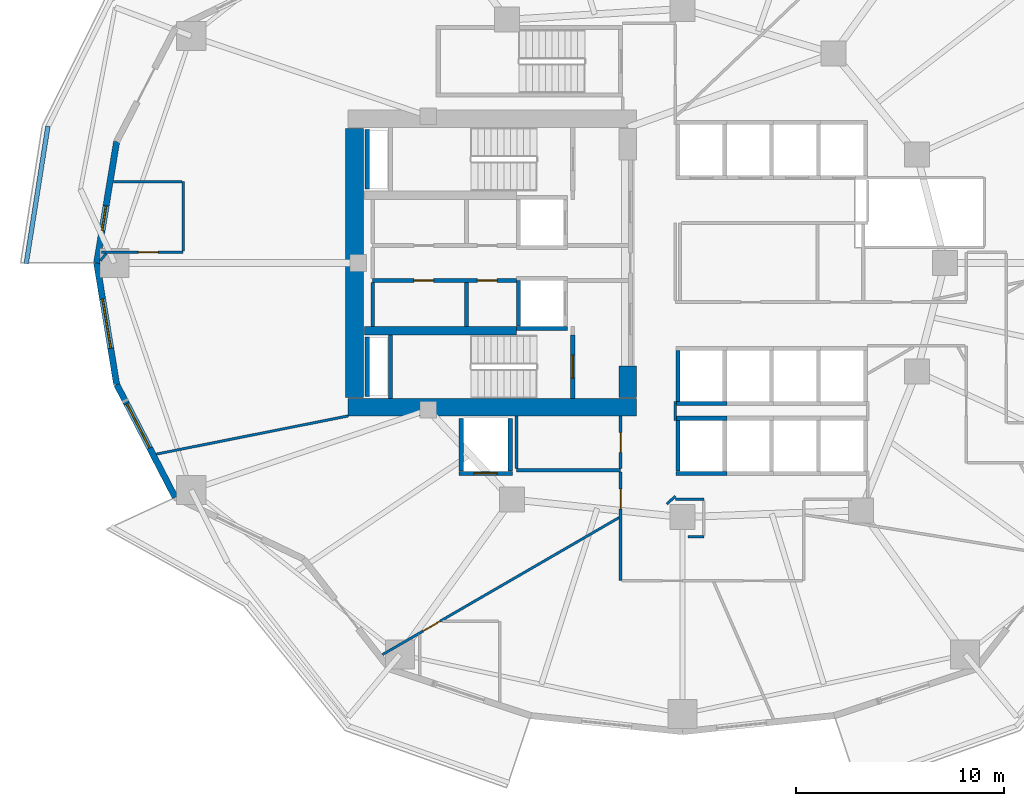
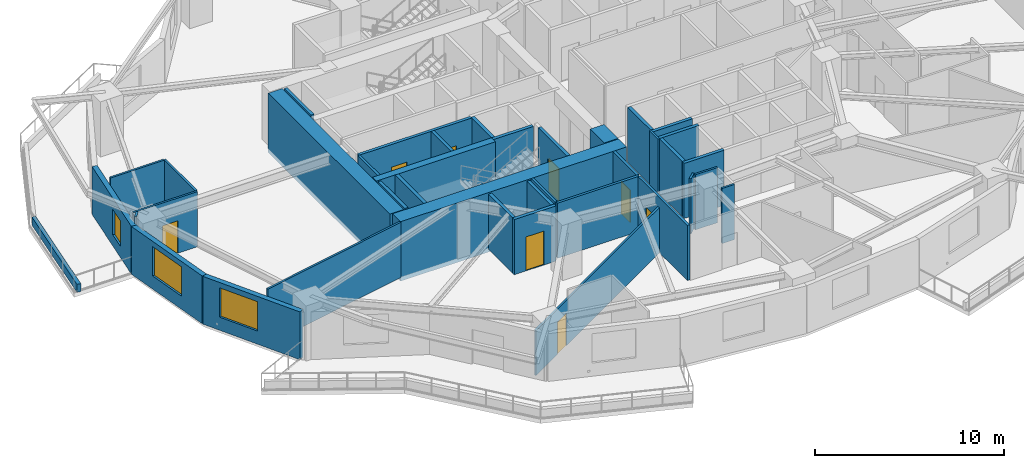
# One storey, part 3 of 13: 39 walls, 8 doors, 3 windows, 11 openings.
"""IFC4 building model written with IfcOpenShell, lengths in metres."""

import ifcopenshell
import ifcopenshell.guid

model = None  # the IFC model being written
_history = None  # IfcOwnerHistory: only IFC2X3 demands one
_inside = {}  # id of a spatial element -> (the spatial element, [elements in it])
_under = {}  # id of a project, library or spatial element -> (it, [spatial elements below it])
_declared = {}  # id of a project -> (the project, [libraries it declares])
_typed = {}  # id of a type object -> (the type object, [elements of that type])
_made_of = {}  # id of a material, layer set ... -> (it, [elements and type objects made of it])


def new_model(schema):
    """Start an empty IFC model of exactly this schema.

    Asked for "IFC4X3", IfcOpenShell would pick the latest addendum, in which some entities
    have other attributes; the version numbers below select the first issue.
    IFC2X3 requires an IfcOwnerHistory on every rooted entity: one is made here for all.
    """
    global model, _history
    if schema == "IFC4X3":
        model = ifcopenshell.file(schema_version=(4, 3, 0, 0))
    else:
        model = ifcopenshell.file(schema=schema)
    _inside.clear()
    _under.clear()
    _declared.clear()
    _typed.clear()
    _made_of.clear()
    _history = None
    if model.schema == "IFC2X3":
        org = make("IfcOrganization", Name="unknown")
        user = make(
            "IfcPersonAndOrganization",
            ThePerson=make("IfcPerson", FamilyName="unknown"),
            TheOrganization=org,
        )
        app = make(
            "IfcApplication",
            ApplicationDeveloper=org,
            Version="unknown",
            ApplicationFullName="unknown",
            ApplicationIdentifier="unknown",
        )
        _history = make(
            "IfcOwnerHistory",
            OwningUser=user,
            OwningApplication=app,
            ChangeAction="ADDED",
            CreationDate=0,
        )
    return model


def make(cls, **values):
    """One entity of the class cls with the attributes given. An attribute that is None is left unset."""
    return model.create_entity(
        cls, **{name: value for name, value in values.items() if value is not None}
    )


def rooted(cls, **values):
    """An entity with a GlobalId (a new one), such as an element, a storey or a relation."""
    return make(cls, GlobalId=ifcopenshell.guid.new(), OwnerHistory=_history, **values)


def si_unit(unit_type, name, prefix=None):
    """IfcSIUnit, for example si_unit("LENGTHUNIT", "METRE", prefix="MILLI")."""
    return make("IfcSIUnit", UnitType=unit_type, Prefix=prefix, Name=name)


def assignment(units):
    """IfcUnitAssignment: the units of a project."""
    return None if units is None else make("IfcUnitAssignment", Units=units)


def point(xyz):
    """IfcCartesianPoint."""
    return None if xyz is None else make("IfcCartesianPoint", Coordinates=xyz)


def direction(xyz):
    """IfcDirection."""
    return None if xyz is None else make("IfcDirection", DirectionRatios=xyz)


def frame(location, z_axis=None, x_axis=None):
    """IfcAxis2Placement3D, a coordinate frame: its origin and axes. An axis left out is left unset."""
    return make(
        "IfcAxis2Placement3D",
        Location=point(location),
        Axis=direction(z_axis),
        RefDirection=direction(x_axis),
    )


def frame_2d(location, x_axis=None):
    """IfcAxis2Placement2D, a coordinate frame in the plane: its origin and x axis."""
    return make(
        "IfcAxis2Placement2D", Location=point(location), RefDirection=direction(x_axis)
    )


def origin():
    """The frame at (0, 0, 0) with its axes left unset."""
    return frame((0.0, 0.0, 0.0))


def place(relative_to, where):
    """IfcLocalPlacement: puts the frame where relative to a parent placement (None: the world)."""
    return make(
        "IfcLocalPlacement", PlacementRelTo=relative_to, RelativePlacement=where
    )


def context(
    kind, dimensions, precision=None, world=None, true_north=None, identifier=None
):
    """IfcGeometricRepresentationContext, for example the 3D "Model" context."""
    return make(
        "IfcGeometricRepresentationContext",
        ContextIdentifier=identifier,
        ContextType=kind,
        CoordinateSpaceDimension=dimensions,
        Precision=precision,
        WorldCoordinateSystem=world,
        TrueNorth=true_north,
    )


def subcontext(parent, identifier, kind, view, scale=None):
    """IfcGeometricRepresentationSubContext, for example "Body" below "Model"."""
    return make(
        "IfcGeometricRepresentationSubContext",
        ContextIdentifier=identifier,
        ContextType=kind,
        ParentContext=parent,
        TargetScale=scale,
        TargetView=view,
    )


def project(units=None, contexts=None):
    """IfcProject with its units and contexts."""
    return rooted(
        "IfcProject",
        Name="project",
        RepresentationContexts=contexts,
        UnitsInContext=assignment(units),
    )


def spatial(cls, under=None, at=None, **own):
    """A site, building, storey or space (cls), placed at a placement, below another one or the project."""
    s = rooted(cls, ObjectPlacement=at, **own)
    if under is not None:
        _under.setdefault(under.id(), (under, []))[1].append(s)
    return s


def profile(cls, at=None, kind="AREA", **sizes):
    """A parametric profile (cls). Its sizes go by their IFC names, for example OverallWidth=200.0."""
    return make(cls, ProfileType=kind, Position=at, **sizes)


def rectangle(**sizes):
    """IfcRectangleProfileDef."""
    return profile("IfcRectangleProfileDef", **sizes)


def extrude(swept, where, along, depth):
    """IfcExtrudedAreaSolid: the profile swept, set in the frame where, extruded along a direction by depth."""
    return make(
        "IfcExtrudedAreaSolid",
        SweptArea=swept,
        Position=where,
        ExtrudedDirection=direction(along),
        Depth=depth,
    )


def shape(context_of_items, identifier, shape_type, items):
    """IfcShapeRepresentation: the items that make up one representation, for example the "Body"."""
    return make(
        "IfcShapeRepresentation",
        ContextOfItems=context_of_items,
        RepresentationIdentifier=identifier,
        RepresentationType=shape_type,
        Items=items,
    )


def material(Name=None, Category=None):
    """IfcMaterial."""
    return make("IfcMaterial", Name=Name, Category=Category)


def layer(
    of_material, thickness, ventilated=None, Name=None, Category=None, Priority=None
):
    """IfcMaterialLayer: one layer of a wall or slab, of a material (None: an air gap)."""
    return make(
        "IfcMaterialLayer",
        Material=of_material,
        LayerThickness=thickness,
        IsVentilated=ventilated,
        Name=Name,
        Category=Category,
        Priority=Priority,
    )


def layer_set(layers, Name=None):
    """IfcMaterialLayerSet."""
    return make("IfcMaterialLayerSet", MaterialLayers=layers, LayerSetName=Name)


def made_of(thing, what):
    """Note that an element or type object is made of a material, layer set ...; save() writes the relation."""
    if what is not None:
        _made_of.setdefault(what.id(), (what, []))[1].append(thing)
    return thing


def type_object(cls, material=None, **own):
    """A type object (cls), such as IfcWallType, which elements share."""
    return made_of(rooted(cls, **own), material)


def element(
    cls,
    number,
    at=None,
    inside=None,
    cuts=None,
    type_object=None,
    material=None,
    context=None,
    identifier="Body",
    shape_type=None,
    held_by="IfcProductDefinitionShape",
    body=None,
    shapes=None,
    **own,
):
    """One element of the class cls, such as IfcWall. Its Tag is "e" and its number.

    at: its placement. inside: the storey or other place that contains it. cuts: it is an
    opening in that element (IfcRelVoidsElement). A single representation is given by context,
    identifier, shape_type and body (its items); several are given by shapes. held_by: the class
    of the entity that holds the representations. save() writes the other relations.
    """
    e = rooted(cls, Tag="e%d" % number, ObjectPlacement=at, **own)
    if body is not None:
        shapes = [shape(context, identifier, shape_type, body)]
    if shapes is not None:
        e.Representation = make(held_by, Representations=shapes)
    if inside is not None:
        _inside.setdefault(inside.id(), (inside, []))[1].append(e)
    if cuts is not None:
        rooted(
            "IfcRelVoidsElement", RelatingBuildingElement=cuts, RelatedOpeningElement=e
        )
    if type_object is not None:
        _typed.setdefault(type_object.id(), (type_object, []))[1].append(e)
    return made_of(e, material)


def fill(opening, filler):
    """IfcRelFillsElement: the door or window that sits in an opening."""
    return rooted(
        "IfcRelFillsElement",
        RelatingOpeningElement=opening,
        RelatedBuildingElement=filler,
    )


def aggregate(whole, parts):
    """IfcRelAggregates: a whole, such as a stair, and the parts it consists of."""
    return rooted("IfcRelAggregates", RelatingObject=whole, RelatedObjects=parts)


def save(model, path):
    """Write the relations noted so far, then the file.

    IfcRelAggregates (storeys below a building ...), IfcRelContainedInSpatialStructure (elements
    in a storey), IfcRelDefinesByType, IfcRelAssociatesMaterial and IfcRelDeclares: one each for
    every whole, place, type object, material and project.
    """
    for whole, parts in _under.values():
        aggregate(whole, parts)
    for where, things in _inside.values():
        rooted(
            "IfcRelContainedInSpatialStructure",
            RelatedElements=things,
            RelatingStructure=where,
        )
    for kind, things in _typed.values():
        rooted("IfcRelDefinesByType", RelatedObjects=things, RelatingType=kind)
    for what, things in _made_of.values():
        rooted("IfcRelAssociatesMaterial", RelatedObjects=things, RelatingMaterial=what)
    for by, libraries in _declared.values():
        rooted("IfcRelDeclares", RelatingContext=by, RelatedDefinitions=libraries)
    model.write(path)


model = new_model("IFC4")

# Units and contexts
model_context = context("Model", 3, precision=1e-05, world=origin(), true_north=direction((0.0, 1.0)))
body_context = subcontext(model_context, "Body", "Model", "MODEL_VIEW")
ifc_project = project(units=[si_unit("LENGTHUNIT", "METRE"), si_unit("AREAUNIT", "SQUARE_METRE"), si_unit("VOLUMEUNIT", "CUBIC_METRE"), si_unit("PLANEANGLEUNIT", "RADIAN"), si_unit("MASSUNIT", "GRAM", prefix="KILO")], contexts=[model_context])

# Site, building, storey
site_placement = place(None, origin())
site = spatial("IfcSite", under=ifc_project, at=site_placement, CompositionType="ELEMENT")
building_placement = place(site_placement, origin())
building = spatial("IfcBuilding", under=site, at=building_placement, Name="Kolvaren Gate Tower and Convention Centre", CompositionType="ELEMENT")
storey_placement = place(building_placement, frame((0.0, 0.0, 26.5)))
storey = spatial("IfcBuildingStorey", under=building, at=storey_placement, Name="L05", CompositionType="ELEMENT", Elevation=26.5)

# Wall, openings, doors
ifc_material_1 = material(Name="Autoclaved Aerated Masonry Blockwork Class 4 (4.0 MPa)", Category="masonry")
ifc_layer_1 = layer(ifc_material_1, 0.179931640625)
ifc_layer_set_1 = layer_set([ifc_layer_1], Name="Autoclaved Aerated Masonry Blockwork Class 4 (4.0 MPa)")
wall_type_1 = type_object("IfcWallType", Name="ARCH-WL-COMP-180", PredefinedType="SOLIDWALL", material=ifc_layer_set_1)
wall_1_placement = place(storey_placement, frame((15.25, 26.159912109375, 0.0), z_axis=(0.0, 0.0, 1.0), x_axis=(1.0, 0.0, 0.0)))
wall_1 = element("IfcWall", 1, at=wall_1_placement, inside=storey, type_object=wall_type_1, Name="Interior Partition WL-L05-INT-005", PredefinedType="SOLIDWALL", context=body_context, shape_type="SweptSolid", body=[
    extrude(rectangle(XDim=6.89990234375, YDim=0.179931640625, at=frame_2d((3.449951171875, 0.0))), origin(), (0.0, 0.0, 1.0), 3.570068359375),
])
opening_1_placement = place(wall_1_placement, frame((5.02001953125, 0.0, 0.0)))
opening_1 = element("IfcOpeningElement", 2, at=opening_1_placement, cuts=wall_1, Name="Opening DR-01", PredefinedType="OPENING", context=body_context, shape_type="SweptSolid", body=[
    extrude(rectangle(XDim=0.949951171875, YDim=2.10009765625, at=frame_2d((0.47509765625, 1.050048828125))), frame((0.0, 0.099853515625, 0.0), z_axis=(0.0, -1.0, 0.0), x_axis=(1.0, 0.0, 0.0)), (0.0, 0.0, 1.0), 0.199951171875),
])
opening_2_placement = place(wall_1_placement, frame((1.97998046875, 0.0, 0.0)))
opening_2 = element("IfcOpeningElement", 3, at=opening_2_placement, cuts=wall_1, Name="Opening DR-01", PredefinedType="OPENING", context=body_context, shape_type="SweptSolid", body=[
    extrude(rectangle(XDim=0.949951171875, YDim=2.10009765625, at=frame_2d((0.47509765625, 1.050048828125))), frame((0.0, 0.099853515625, 0.0), z_axis=(0.0, -1.0, 0.0), x_axis=(1.0, 0.0, 0.0)), (0.0, 0.0, 1.0), 0.199951171875),
])
ifc_material_2 = material(Name="Painted Architectural Steelwork ASTM A500 Grade C 345 MPa", Category="steel")
door_type_1 = type_object("IfcDoorType", Name="ARCH-DR-RISER-950", OperationType="SINGLE_SWING_RIGHT", PredefinedType="DOOR", material=ifc_material_2)
door_1_placement = place(opening_1_placement, origin())
door_1 = element("IfcDoor", 4, at=door_1_placement, inside=storey, type_object=door_type_1, Name="Domestic Water Meter Closet Door", OperationType="SINGLE_SWING_LEFT", OverallHeight=2.10009765625, OverallWidth=0.949951171875, PredefinedType="DOOR", context=body_context, shape_type="SweptSolid", body=[
    extrude(rectangle(XDim=0.949951171875, YDim=2.10009765625, at=frame_2d((0.47509765625, 1.050048828125))), frame((0.0, 0.02490234375, 0.0), z_axis=(0.0, -1.0, 0.0), x_axis=(1.0, 0.0, 0.0)), (0.0, 0.0, 1.0), 0.050048828125),
])
fill(opening_1, door_1)
door_2_placement = place(opening_2_placement, origin())
door_2 = element("IfcDoor", 5, at=door_2_placement, inside=storey, type_object=door_type_1, Name="Janitor Equipment Store Door", OperationType="SINGLE_SWING_LEFT", OverallHeight=2.10009765625, OverallWidth=0.949951171875, PredefinedType="DOOR", context=body_context, shape_type="SweptSolid", body=[
    extrude(rectangle(XDim=0.949951171875, YDim=2.10009765625, at=frame_2d((0.47509765625, 1.050048828125))), frame((0.0, 0.02490234375, 0.0), z_axis=(0.0, -1.0, 0.0), x_axis=(1.0, 0.0, 0.0)), (0.0, 0.0, 1.0), 0.050048828125),
])
fill(opening_2, door_2)

# Walls
wall_2_placement = place(storey_placement, frame((19.75, 23.9619140625, 0.0), z_axis=(0.0, 0.0, 1.0), x_axis=(0.0, 1.0, 0.0)))
element("IfcWall", 6, at=wall_2_placement, inside=storey, type_object=wall_type_1, Name="Interior Partition WL-L05-INT-007", PredefinedType="SOLIDWALL", context=body_context, shape_type="SweptSolid", body=[
    extrude(rectangle(XDim=2.106201171875, YDim=0.179931640625, at=frame_2d((1.05322265625, 0.0))), origin(), (0.0, 0.0, 1.0), 3.570068359375),
])
ifc_material_3 = material(Name="Fire-Rated Acoustic Gypsum Stud Partition", Category="gypsum")
ifc_layer_2 = layer(ifc_material_3, 0.1201171875)
ifc_layer_set_2 = layer_set([ifc_layer_2], Name="Fire-Rated Acoustic Gypsum Stud Partition")
wall_type_2 = type_object("IfcWallType", Name="ARCH-WL-PART-120", PredefinedType="PARTITIONING", material=ifc_layer_set_2)
wall_3_placement = place(storey_placement, frame((29.780029296875, 15.64990234375, 0.0), z_axis=(0.0, 0.0, 1.0), x_axis=(1.0, 0.0, 0.0)))
element("IfcWall", 7, at=wall_3_placement, inside=storey, type_object=wall_type_2, Name="Interior Partition WL-L05-INT-017", PredefinedType="PARTITIONING", context=body_context, shape_type="SweptSolid", body=[
    extrude(rectangle(XDim=1.369873046875, YDim=0.1201171875, at=frame_2d((0.68505859375, 0.0))), origin(), (0.0, 0.0, 1.0), 3.570068359375),
])
wall_4_placement = place(storey_placement, frame((29.780029296875, 19.43994140625, 0.0), z_axis=(0.0, 0.0, 1.0), x_axis=(0.0, 1.0, 0.0)))
element("IfcWall", 8, at=wall_4_placement, inside=storey, type_object=wall_type_2, Name="Interior Partition WL-L05-INT-023", PredefinedType="PARTITIONING", context=body_context, shape_type="SweptSolid", body=[
    extrude(rectangle(XDim=0.920166015625, YDim=0.1201171875, at=frame_2d((0.4599609375, 0.0))), origin(), (0.0, 0.0, 1.0), 3.570068359375),
])

# Wall, opening, door
wall_5_placement = place(storey_placement, frame((2.238037109375, 27.510009765625, 0.0), z_axis=(0.0, 0.0, 1.0), x_axis=(1.0, 0.0, 0.0)))
wall_5 = element("IfcWall", 9, at=wall_5_placement, inside=storey, type_object=wall_type_2, Name="Interior Partition WL-L05-INT-030", PredefinedType="PARTITIONING", context=body_context, shape_type="SweptSolid", body=[
    extrude(rectangle(XDim=3.911865234375, YDim=0.1201171875, at=frame_2d((1.9560546875, 0.0))), origin(), (0.0, 0.0, 1.0), 3.570068359375),
])
opening_3_placement = place(wall_5_placement, frame((1.760986328125, 0.0, 0.0)))
opening_3 = element("IfcOpeningElement", 10, at=opening_3_placement, cuts=wall_5, Name="Opening DI-01", PredefinedType="OPENING", context=body_context, shape_type="SweptSolid", body=[
    extrude(rectangle(XDim=0.949951171875, YDim=2.10009765625, at=frame_2d((0.47509765625, 1.050048828125))), frame((0.0, 0.070068359375, 0.0), z_axis=(0.0, -1.0, 0.0), x_axis=(1.0, 0.0, 0.0)), (0.0, 0.0, 1.0), 0.14013671875),
])
ifc_material_4 = material(Name="FSC Andean Oak Engineered Veneer Door Leaf", Category="wood")
door_type_2 = type_object("IfcDoorType", Name="ARCH-DR-INT-950", OperationType="SINGLE_SWING_LEFT", PredefinedType="DOOR", material=ifc_material_4)
door_3_placement = place(opening_3_placement, origin())
door_3 = element("IfcDoor", 11, at=door_3_placement, inside=storey, type_object=door_type_2, Name="Cellular Office Door", OperationType="SINGLE_SWING_RIGHT", OverallHeight=2.10009765625, OverallWidth=0.949951171875, PredefinedType="DOOR", context=body_context, shape_type="SweptSolid", body=[
    extrude(rectangle(XDim=0.949951171875, YDim=2.10009765625, at=frame_2d((0.47509765625, 1.050048828125))), frame((0.0, 0.02490234375, 0.0), z_axis=(0.0, -1.0, 0.0), x_axis=(1.0, 0.0, 0.0)), (0.0, 0.0, 1.0), 0.050048828125),
])
fill(opening_3, door_3)

# Walls
wall_6_placement = place(storey_placement, frame((29.366943359375, 15.422119140625, 0.0), z_axis=(0.0, 0.0, 1.0), x_axis=(0.730667420492, 0.682733564893, 0.0)))
element("IfcWall", 12, at=wall_6_placement, inside=storey, type_object=wall_type_2, Name="Interior Partition WL-L05-INT-037", PredefinedType="PARTITIONING", context=body_context, shape_type="SweptSolid", body=[
    extrude(rectangle(XDim=0.5654296875, YDim=0.1201171875, at=frame_2d((0.28271484375, 0.0))), origin(), (0.0, 0.0, 1.0), 3.570068359375),
])
wall_7_placement = place(storey_placement, frame((30.39111328125, 13.85009765625, 0.0), z_axis=(0.0, 0.0, 1.0), x_axis=(1.0, 0.0, 0.0)))
element("IfcWall", 13, at=wall_7_placement, inside=storey, type_object=wall_type_2, Name="Interior Partition WL-L05-INT-038", PredefinedType="PARTITIONING", context=body_context, shape_type="SweptSolid", body=[
    extrude(rectangle(XDim=0.7587890625, YDim=0.1201171875, at=frame_2d((0.37939453125, 0.0))), origin(), (0.0, 0.0, 1.0), 3.570068359375),
])
wall_8_placement = place(storey_placement, frame((4.864990234375, 17.82470703125, 0.0), z_axis=(0.0, 0.0, 1.0), x_axis=(0.980749298792, 0.195271126689, 0.0)))
element("IfcWall", 14, at=wall_8_placement, inside=storey, type_object=wall_type_2, Name="Interior Partition WL-L05-INT-040", PredefinedType="PARTITIONING", context=body_context, shape_type="SweptSolid", body=[
    extrude(rectangle(XDim=9.390625, YDim=0.1201171875, at=frame_2d((4.6953125, 0.0))), origin(), (0.0, 0.0, 1.0), 3.570068359375),
])

# Wall, opening, door
wall_9_placement = place(storey_placement, frame((15.718505859375, 8.2001953125, 0.0), z_axis=(0.0, 0.0, 1.0), x_axis=(0.865375324019, 0.501124284563, 0.0)))
wall_9 = element("IfcWall", 15, at=wall_9_placement, inside=storey, type_object=wall_type_2, Name="Interior Partition WL-L05-INT-043", PredefinedType="PARTITIONING", context=body_context, shape_type="SweptSolid", body=[
    extrude(rectangle(XDim=13.120849609375, YDim=0.1201171875, at=frame_2d((6.560546875, 0.0))), origin(), (0.0, 0.0, 1.0), 2.93408203125),
])
opening_4_placement = place(wall_9_placement, frame((2.251220703125, 0.0, 0.0)))
opening_4 = element("IfcOpeningElement", 16, at=opening_4_placement, cuts=wall_9, Name="Opening DI-01", PredefinedType="OPENING", context=body_context, shape_type="SweptSolid", body=[
    extrude(rectangle(XDim=0.949951171875, YDim=2.10009765625, at=frame_2d((0.47509765625, 1.050048828125))), frame((0.0, 0.070068359375, 0.0), z_axis=(0.0, -1.0, 0.0), x_axis=(1.0, 0.0, 0.0)), (0.0, 0.0, 1.0), 0.14013671875),
])
door_4_placement = place(opening_4_placement, origin())
door_4 = element("IfcDoor", 17, at=door_4_placement, inside=storey, type_object=door_type_2, Name="Cellular Office Door", OperationType="SINGLE_SWING_RIGHT", OverallHeight=2.10009765625, OverallWidth=0.949951171875, PredefinedType="DOOR", context=body_context, shape_type="SweptSolid", body=[
    extrude(rectangle(XDim=0.949951171875, YDim=2.10009765625, at=frame_2d((0.47509765625, 1.050048828125))), frame((0.0, 0.02490234375, 0.0), z_axis=(0.0, -1.0, 0.0), x_axis=(1.0, 0.0, 0.0)), (0.0, 0.0, 1.0), 0.050048828125),
])
fill(opening_4, door_4)

# Walls
wall_10_placement = place(storey_placement, frame((6.14990234375, 27.572021484375, 0.0), z_axis=(0.0, 0.0, 1.0), x_axis=(0.0, 1.0, 0.0)))
element("IfcWall", 18, at=wall_10_placement, inside=storey, type_object=wall_type_2, Name="Interior Partition WL-L05-INT-060", PredefinedType="PARTITIONING", context=body_context, shape_type="SweptSolid", body=[
    extrude(rectangle(XDim=3.327880859375, YDim=0.1201171875, at=frame_2d((1.6640625, 0.0))), origin(), (0.0, 0.0, 1.0), 3.570068359375),
])
wall_11_placement = place(storey_placement, frame((2.7958984375, 30.89990234375, 0.0), z_axis=(0.0, 0.0, 1.0), x_axis=(1.0, 0.0, 0.0)))
element("IfcWall", 19, at=wall_11_placement, inside=storey, type_object=wall_type_2, Name="Interior Partition WL-L05-INT-061", PredefinedType="PARTITIONING", context=body_context, shape_type="SweptSolid", body=[
    extrude(rectangle(XDim=3.2919921875, YDim=0.1201171875, at=frame_2d((1.64599609375, 0.0))), origin(), (0.0, 0.0, 1.0), 3.570068359375),
])
wall_12_placement = place(storey_placement, frame((2.171875, 27.1083984375, 0.0), z_axis=(0.0, 0.0, 1.0), x_axis=(0.642079819381, 0.766637792927, 0.0)))
element("IfcWall", 20, at=wall_12_placement, inside=storey, type_object=wall_type_2, Name="Interior Partition WL-L05-INT-062", PredefinedType="PARTITIONING", context=body_context, shape_type="SweptSolid", body=[
    extrude(rectangle(XDim=0.44287109375, YDim=0.1201171875, at=frame_2d((0.221435546875, 0.0))), origin(), (0.0, 0.0, 1.0), 3.570068359375),
])
ifc_material_5 = material(Name="Piedmont Cream Honed Limestone Cladding", Category="masonry")
ifc_layer_3 = layer(ifc_material_5, 0.219970703125)
ifc_layer_set_3 = layer_set([ifc_layer_3], Name="Piedmont Cream Honed Limestone Cladding")
wall_type_3 = type_object("IfcWallType", Name="ARCH-WL-PLANTER-220", PredefinedType="PARAPET", material=ifc_layer_set_3)
wall_13_placement = place(storey_placement, frame((-1.381591796875, 26.970703125, 0.0), z_axis=(0.0, 0.0, 1.0), x_axis=(0.155842315528, 0.987781945923, 0.0)))
element("IfcWall", 21, at=wall_13_placement, inside=storey, type_object=wall_type_3, Name="Vertical-Forest Balcony Stone Planter Kerb PK-L05-2.3", PredefinedType="PARAPET", context=body_context, shape_type="SweptSolid", body=[
    extrude(rectangle(XDim=6.672119140625, YDim=0.219970703125, at=frame_2d((3.3359375, 0.0))), origin(), (0.0, 0.0, 1.0), 0.52001953125),
])
ifc_layer_4 = layer(ifc_material_1, 0.199951171875)
ifc_layer_set_4 = layer_set([ifc_layer_4], Name="Autoclaved Aerated Masonry Blockwork Class 4 (4.0 MPa)")
wall_type_4 = type_object("IfcWallType", Name="ARCH-WL-SHAFT-200", PredefinedType="SOLIDWALL", material=ifc_layer_set_4)
wall_14_placement = place(storey_placement, frame((22.14990234375, 23.860107421875, 0.0), z_axis=(0.0, 0.0, 1.0), x_axis=(1.0, 0.0, 0.0)))
element("IfcWall", 22, at=wall_14_placement, inside=storey, type_object=wall_type_4, Name="Elevator FF-02 L05 Fire Shaft Wall S", PredefinedType="SOLIDWALL", context=body_context, shape_type="SweptSolid", body=[
    extrude(rectangle(XDim=2.4501953125, YDim=0.199951171875, at=frame_2d((1.22509765625, 0.0))), origin(), (0.0, 0.0, 1.0), 3.570068359375),
])
wall_15_placement = place(storey_placement, frame((22.25, 23.969970703125, 0.0), z_axis=(0.0, 0.0, 1.0), x_axis=(0.0, 1.0, 0.0)))
element("IfcWall", 23, at=wall_15_placement, inside=storey, type_object=wall_type_4, Name="Elevator FF-02 L05 Fire Shaft Wall W", PredefinedType="SOLIDWALL", context=body_context, shape_type="SweptSolid", body=[
    extrude(rectangle(XDim=2.179931640625, YDim=0.199951171875, at=frame_2d((1.08984375, 0.0))), origin(), (0.0, 0.0, 1.0), 3.570068359375),
])

# Wall, opening, door
wall_16_placement = place(storey_placement, frame((19.39990234375, 16.89990234375, 0.0), z_axis=(0.0, 0.0, 1.0), x_axis=(1.0, 0.0, 0.0)))
wall_16 = element("IfcWall", 24, at=wall_16_placement, inside=storey, type_object=wall_type_4, Name="Elevator SV-01 L05 Fire Shaft Wall S", PredefinedType="SOLIDWALL", context=body_context, shape_type="SweptSolid", body=[
    extrude(rectangle(XDim=2.550048828125, YDim=0.199951171875, at=frame_2d((1.27490234375, 0.0))), origin(), (0.0, 0.0, 1.0), 3.570068359375),
])
opening_5_placement = place(wall_16_placement, frame((0.72509765625, 0.0, 0.0)))
opening_5 = element("IfcOpeningElement", 25, at=opening_5_placement, cuts=wall_16, Name="Opening LD", PredefinedType="OPENING", context=body_context, shape_type="SweptSolid", body=[
    extrude(rectangle(XDim=1.10009765625, YDim=2.199951171875, at=frame_2d((0.550048828125, 1.10009765625))), frame((0.0, 0.10986328125, 0.0), z_axis=(0.0, -1.0, 0.0), x_axis=(1.0, 0.0, 0.0)), (0.0, 0.0, 1.0), 0.219970703125),
])
ifc_material_6 = material(Name="Brushed Stainless Steel Grade 316L", Category="steel")
door_type_3 = type_object("IfcDoorType", Name="ARCH-DR-LIFT-1100", OperationType="SLIDING_TO_LEFT", PredefinedType="DOOR", material=ifc_material_6)
door_5_placement = place(opening_5_placement, origin())
door_5 = element("IfcDoor", 26, at=door_5_placement, inside=storey, type_object=door_type_3, Name="Elevator SV-01 L05 Sliding Landing Door", OperationType="SLIDING_TO_LEFT", OverallHeight=2.199951171875, OverallWidth=1.10009765625, PredefinedType="DOOR", context=body_context, shape_type="SweptSolid", body=[
    extrude(rectangle(XDim=1.10009765625, YDim=2.199951171875, at=frame_2d((0.550048828125, 1.10009765625))), frame((0.0, 0.02490234375, 0.0), z_axis=(0.0, -1.0, 0.0), x_axis=(1.0, 0.0, 0.0)), (0.0, 0.0, 1.0), 0.050048828125),
])
fill(opening_5, door_5)

# Walls
for number, where, z_axis, x_axis, name in (
    (27, (19.5, 17.010009765625, 0.0), (0.0, 0.0, 1.0), (0.0, 1.0, 0.0), "Elevator SV-01 L05 Fire Shaft Wall W"),
    (28, (21.85009765625, 17.010009765625, 0.0), (0.0, 0.0, 1.0), (0.0, 1.0, 0.0), "Elevator SV-01 L05 Fire Shaft Wall E"),
):
    element("IfcWall", number, at=place(storey_placement, frame(where, z_axis=z_axis, x_axis=x_axis)), inside=storey, type_object=wall_type_4, Name=name, PredefinedType="SOLIDWALL", context=body_context, shape_type="SweptSolid", body=[
        extrude(rectangle(XDim=2.530029296875, YDim=0.199951171875, at=frame_2d((1.26513671875, 0.0))), origin(), (0.0, 0.0, 1.0), 3.570068359375),
    ])
for number, where, z_axis, x_axis, name in (
    (29, (29.800048828125, 19.550048828125, 0.0), (0.0, 0.0, 1.0), (1.0, 0.0, 0.0), "Elevator PL-05 L05 Fire Shaft Wall N"),
    (30, (29.800048828125, 16.89990234375, 0.0), (0.0, 0.0, 1.0), (1.0, 0.0, 0.0), "Elevator PL-05 L05 Fire Shaft Wall S"),
):
    element("IfcWall", number, at=place(storey_placement, frame(where, z_axis=z_axis, x_axis=x_axis)), inside=storey, type_object=wall_type_4, Name=name, PredefinedType="SOLIDWALL", context=body_context, shape_type="SweptSolid", body=[
        extrude(rectangle(XDim=2.449951171875, YDim=0.199951171875, at=frame_2d((1.22509765625, 0.0))), origin(), (0.0, 0.0, 1.0), 3.570068359375),
    ])
wall_17_placement = place(storey_placement, frame((29.89990234375, 17.010009765625, 0.0), z_axis=(0.0, 0.0, 1.0), x_axis=(0.0, 1.0, 0.0)))
element("IfcWall", 31, at=wall_17_placement, inside=storey, type_object=wall_type_4, Name="Elevator PL-05 L05 Fire Shaft Wall W", PredefinedType="SOLIDWALL", context=body_context, shape_type="SweptSolid", body=[
    extrude(rectangle(XDim=2.429931640625, YDim=0.199951171875, at=frame_2d((1.21484375, 0.0))), origin(), (0.0, 0.0, 1.0), 3.570068359375),
])
wall_18_placement = place(storey_placement, frame((29.800048828125, 20.25, 0.0), z_axis=(0.0, 0.0, 1.0), x_axis=(1.0, 0.0, 0.0)))
element("IfcWall", 32, at=wall_18_placement, inside=storey, type_object=wall_type_4, Name="Elevator PL-09 L05 Fire Shaft Wall S", PredefinedType="SOLIDWALL", context=body_context, shape_type="SweptSolid", body=[
    extrude(rectangle(XDim=2.449951171875, YDim=0.199951171875, at=frame_2d((1.22509765625, 0.0))), origin(), (0.0, 0.0, 1.0), 3.570068359375),
])
wall_19_placement = place(storey_placement, frame((29.89990234375, 20.360107421875, 0.0), z_axis=(0.0, 0.0, 1.0), x_axis=(0.0, 1.0, 0.0)))
element("IfcWall", 33, at=wall_19_placement, inside=storey, type_object=wall_type_4, Name="Elevator PL-09 L05 Fire Shaft Wall W", PredefinedType="SOLIDWALL", context=body_context, shape_type="SweptSolid", body=[
    extrude(rectangle(XDim=2.429931640625, YDim=0.199951171875, at=frame_2d((1.21484375, 0.0))), origin(), (0.0, 0.0, 1.0), 3.570068359375),
])
for number, where, z_axis, x_axis, name in (
    (34, (14.989990234375, 30.550048828125, 0.0), (0.0, 0.0, 1.0), (0.0, 1.0, 0.0), "Vertical Shaft HVR L05 EI-120 Enclosure Wall W"),
    (35, (14.989990234375, 20.60009765625, 0.0), (0.0, 0.0, 1.0), (0.0, 1.0, 0.0), "Vertical Shaft MPR L05 EI-120 Enclosure Wall W"),
):
    element("IfcWall", number, at=place(storey_placement, frame(where, z_axis=z_axis, x_axis=x_axis)), inside=storey, type_object=wall_type_4, Name=name, PredefinedType="SOLIDWALL", context=body_context, shape_type="SweptSolid", body=[
        extrude(rectangle(XDim=2.849853515625, YDim=0.199951171875, at=frame_2d((1.4248046875, 0.0))), origin(), (0.0, 0.0, 1.0), 3.570068359375),
    ])

# Wall, opening, window
ifc_layer_5 = layer(ifc_material_5, 0.300048828125)
ifc_layer_set_5 = layer_set([ifc_layer_5], Name="Piedmont Cream Honed Limestone Cladding")
wall_type_5 = type_object("IfcWallType", Name="ARCH-WL-STONE-300", PredefinedType="SOLIDWALL", material=ifc_layer_set_5)
wall_20_placement = place(storey_placement, frame((2.0, 27.0, 0.0), z_axis=(0.0, 0.0, 1.0), x_axis=(0.162366057843, 0.98673059305, 0.0)))
wall_20 = element("IfcWall", 36, at=wall_20_placement, inside=storey, type_object=wall_type_5, Name="Tower L05 Honed Stone Spandrel Wall EW-11", PredefinedType="SOLIDWALL", context=body_context, shape_type="SweptSolid", body=[
    extrude(rectangle(XDim=5.90185546875, YDim=0.300048828125, at=frame_2d((2.950927734375, 0.0))), origin(), (0.0, 0.0, 1.0), 3.093017578125),
])
opening_6_placement = place(wall_20_placement, frame((1.580078125, 0.0, 0.719970703125)))
opening_6 = element("IfcOpeningElement", 37, at=opening_6_placement, cuts=wall_20, Name="Opening W-04", PredefinedType="OPENING", context=body_context, shape_type="SweptSolid", body=[
    extrude(rectangle(XDim=1.199951171875, YDim=1.64990234375, at=frame_2d((0.60009765625, 0.824951171875))), frame((0.0, 0.159912109375, 0.0), z_axis=(0.0, -1.0, 0.0), x_axis=(1.0, 0.0, 0.0)), (0.0, 0.0, 1.0), 0.320068359375),
])
ifc_material_7 = material(Name="Low-E Triple Insulated Glazing Unit 44 mm", Category="glass")
window_type_1 = type_object("IfcWindowType", Name="ARCH-WN-NARROW-1200", PartitioningType="SINGLE_PANEL", PredefinedType="WINDOW", material=ifc_material_7)
window_1_placement = place(opening_6_placement, origin())
window_1 = element("IfcWindow", 38, at=window_1_placement, inside=storey, type_object=window_type_1, Name="Tower L05 Punched Stone Facade Window W-11", OverallHeight=1.64990234375, OverallWidth=1.199951171875, PartitioningType="SINGLE_PANEL", PredefinedType="WINDOW", context=body_context, shape_type="SweptSolid", body=[
    extrude(rectangle(XDim=1.199951171875, YDim=1.64990234375, at=frame_2d((0.60009765625, 0.824951171875))), frame((0.0, 0.030029296875, 0.0), z_axis=(0.0, -1.0, 0.0), x_axis=(1.0, 0.0, 0.0)), (0.0, 0.0, 1.0), 0.06005859375),
])
fill(opening_6, window_1)

wall_21_placement = place(storey_placement, frame((2.0, 27.0, 0.0), z_axis=(0.0, 0.0, 1.0), x_axis=(0.162366057843, -0.98673059305, 0.0)))
wall_21 = element("IfcWall", 39, at=wall_21_placement, inside=storey, type_object=wall_type_5, Name="Tower L05 Honed Stone Spandrel Wall EW-12", PredefinedType="SOLIDWALL", context=body_context, shape_type="SweptSolid", body=[
    extrude(rectangle(XDim=5.90185546875, YDim=0.300048828125, at=frame_2d((2.950927734375, 0.0))), origin(), (0.0, 0.0, 1.0), 3.093017578125),
])
opening_7_placement = place(wall_21_placement, frame((1.7509765625, 0.0, 0.85009765625)))
opening_7 = element("IfcOpeningElement", 40, at=opening_7_placement, cuts=wall_21, Name="Opening W-01", PredefinedType="OPENING", context=body_context, shape_type="SweptSolid", body=[
    extrude(rectangle(XDim=2.39990234375, YDim=1.89990234375, at=frame_2d((1.199951171875, 0.949951171875))), frame((0.0, 0.159912109375, 0.0), z_axis=(0.0, -1.0, 0.0), x_axis=(1.0, 0.0, 0.0)), (0.0, 0.0, 1.0), 0.320068359375),
])
window_type_2 = type_object("IfcWindowType", Name="ARCH-WN-OFF-2400", PartitioningType="SINGLE_PANEL", PredefinedType="WINDOW", material=ifc_material_7)
window_2_placement = place(opening_7_placement, origin())
window_2 = element("IfcWindow", 41, at=window_2_placement, inside=storey, type_object=window_type_2, Name="Tower L05 Punched Stone Facade Window W-12", OverallHeight=1.89990234375, OverallWidth=2.39990234375, PartitioningType="SINGLE_PANEL", PredefinedType="WINDOW", context=body_context, shape_type="SweptSolid", body=[
    extrude(rectangle(XDim=2.39990234375, YDim=1.89990234375, at=frame_2d((1.199951171875, 0.949951171875))), frame((0.0, 0.030029296875, 0.0), z_axis=(0.0, -1.0, 0.0), x_axis=(1.0, 0.0, 0.0)), (0.0, 0.0, 1.0), 0.06005859375),
])
fill(opening_7, window_2)

wall_22_placement = place(storey_placement, frame((2.958251953125, 21.176513671875, 0.0), z_axis=(0.0, 0.0, 1.0), x_axis=(0.459809804413, -0.88801742312, 0.0)))
wall_22 = element("IfcWall", 42, at=wall_22_placement, inside=storey, type_object=wall_type_5, Name="Tower L05 Honed Stone Spandrel Wall EW-13", PredefinedType="SOLIDWALL", context=body_context, shape_type="SweptSolid", body=[
    extrude(rectangle(XDim=6.11083984375, YDim=0.300048828125, at=frame_2d((3.055419921875, 0.0))), origin(), (0.0, 0.0, 1.0), 3.093017578125),
])
opening_8_placement = place(wall_22_placement, frame((1.050048828125, 0.0, 0.85009765625)))
opening_8 = element("IfcOpeningElement", 43, at=opening_8_placement, cuts=wall_22, Name="Opening W-01", PredefinedType="OPENING", context=body_context, shape_type="SweptSolid", body=[
    extrude(rectangle(XDim=2.39990234375, YDim=1.89990234375, at=frame_2d((1.199951171875, 0.949951171875))), frame((0.0, 0.159912109375, 0.0), z_axis=(0.0, -1.0, 0.0), x_axis=(1.0, 0.0, 0.0)), (0.0, 0.0, 1.0), 0.320068359375),
])
window_3_placement = place(opening_8_placement, origin())
window_3 = element("IfcWindow", 44, at=window_3_placement, inside=storey, type_object=window_type_2, Name="Tower L05 Punched Stone Facade Window W-13", OverallHeight=1.89990234375, OverallWidth=2.39990234375, PartitioningType="SINGLE_PANEL", PredefinedType="WINDOW", context=body_context, shape_type="SweptSolid", body=[
    extrude(rectangle(XDim=2.39990234375, YDim=1.89990234375, at=frame_2d((1.199951171875, 0.949951171875))), frame((0.0, 0.030029296875, 0.0), z_axis=(0.0, -1.0, 0.0), x_axis=(1.0, 0.0, 0.0)), (0.0, 0.0, 1.0), 0.06005859375),
])
fill(opening_8, window_3)

# Walls
ifc_material_8 = material(Name="Moisture-Resistant Cement-Board Acoustic Partition", Category="gypsum")
ifc_layer_6 = layer(ifc_material_8, 0.14990234375)
ifc_layer_set_6 = layer_set([ifc_layer_6], Name="Moisture-Resistant Cement-Board Acoustic Partition")
wall_type_6 = type_object("IfcWallType", Name="ARCH-WL-WET-150", PredefinedType="PARTITIONING", material=ifc_layer_set_6)
wall_23_placement = place(storey_placement, frame((15.25, 23.9619140625, 0.0), z_axis=(0.0, 0.0, 1.0), x_axis=(0.0, 1.0, 0.0)))
element("IfcWall", 45, at=wall_23_placement, inside=storey, type_object=wall_type_6, Name="Interior Partition WL-L05-INT-006", PredefinedType="PARTITIONING", context=body_context, shape_type="SweptSolid", body=[
    extrude(rectangle(XDim=2.106201171875, YDim=0.14990234375, at=frame_2d((1.05322265625, 0.0))), origin(), (0.0, 0.0, 1.0), 3.570068359375),
])
wall_24_placement = place(storey_placement, frame((22.14990234375, 17.050048828125, 0.0), z_axis=(0.0, 0.0, 1.0), x_axis=(1.0, 0.0, 0.0)))
element("IfcWall", 46, at=wall_24_placement, inside=storey, type_object=wall_type_6, Name="Interior Partition WL-L05-INT-009", PredefinedType="PARTITIONING", context=body_context, shape_type="SweptSolid", body=[
    extrude(rectangle(XDim=5.0, YDim=0.14990234375, at=frame_2d((2.5, 0.0))), origin(), (0.0, 0.0, 1.0), 3.570068359375),
])
wall_25_placement = place(storey_placement, frame((22.14990234375, 17.126953125, 0.0), z_axis=(0.0, 0.0, 1.0), x_axis=(0.0, 1.0, 0.0)))
element("IfcWall", 47, at=wall_25_placement, inside=storey, type_object=wall_type_6, Name="Interior Partition WL-L05-INT-010", PredefinedType="PARTITIONING", context=body_context, shape_type="SweptSolid", body=[
    extrude(rectangle(XDim=2.52099609375, YDim=0.14990234375, at=frame_2d((1.260498046875, 0.0))), origin(), (0.0, 0.0, 1.0), 3.570068359375),
])

# Wall, opening, door
wall_26_placement = place(storey_placement, frame((27.14990234375, 11.75, 0.0), z_axis=(0.0, 0.0, 1.0), x_axis=(0.0, 1.0, 0.0)))
wall_26 = element("IfcWall", 48, at=wall_26_placement, inside=storey, type_object=wall_type_6, Name="Interior Partition WL-L05-INT-011", PredefinedType="PARTITIONING", context=body_context, shape_type="SweptSolid", body=[
    extrude(rectangle(XDim=5.222900390625, YDim=0.14990234375, at=frame_2d((2.611328125, 0.0))), origin(), (0.0, 0.0, 1.0), 3.570068359375),
])
opening_9_placement = place(wall_26_placement, frame((3.44775390625, 0.0, 0.0)))
opening_9 = element("IfcOpeningElement", 49, at=opening_9_placement, cuts=wall_26, Name="Opening DR-01", PredefinedType="OPENING", context=body_context, shape_type="SweptSolid", body=[
    extrude(rectangle(XDim=0.949951171875, YDim=2.10009765625, at=frame_2d((0.47509765625, 1.050048828125))), frame((0.0, 0.0849609375, 0.0), z_axis=(0.0, -1.0, 0.0), x_axis=(1.0, 0.0, 0.0)), (0.0, 0.0, 1.0), 0.169921875),
])
door_6_placement = place(opening_9_placement, origin())
door_6 = element("IfcDoor", 50, at=door_6_placement, inside=storey, type_object=door_type_1, Name="Open-Plan Office Suite Door", OperationType="SINGLE_SWING_LEFT", OverallHeight=2.10009765625, OverallWidth=0.949951171875, PredefinedType="DOOR", context=body_context, shape_type="SweptSolid", body=[
    extrude(rectangle(XDim=0.949951171875, YDim=2.10009765625, at=frame_2d((0.47509765625, 1.050048828125))), frame((0.0, 0.02490234375, 0.0), z_axis=(0.0, -1.0, 0.0), x_axis=(1.0, 0.0, 0.0)), (0.0, 0.0, 1.0), 0.050048828125),
])
fill(opening_9, door_6)

wall_27_placement = place(storey_placement, frame((27.14990234375, 17.126953125, 0.0), z_axis=(0.0, 0.0, 1.0), x_axis=(0.0, 1.0, 0.0)))
wall_27 = element("IfcWall", 51, at=wall_27_placement, inside=storey, type_object=wall_type_6, Name="Interior Partition WL-L05-INT-011 (2)", PredefinedType="PARTITIONING", context=body_context, shape_type="SweptSolid", body=[
    extrude(rectangle(XDim=2.52099609375, YDim=0.14990234375, at=frame_2d((1.260498046875, 0.0))), origin(), (0.0, 0.0, 1.0), 3.570068359375),
])
opening_10_placement = place(wall_27_placement, frame((0.785400390625, 0.0, 0.0)))
opening_10 = element("IfcOpeningElement", 52, at=opening_10_placement, cuts=wall_27, Name="Opening DR-01", PredefinedType="OPENING", context=body_context, shape_type="SweptSolid", body=[
    extrude(rectangle(XDim=0.949951171875, YDim=2.10009765625, at=frame_2d((0.47509765625, 1.050048828125))), frame((0.0, 0.0849609375, 0.0), z_axis=(0.0, -1.0, 0.0), x_axis=(1.0, 0.0, 0.0)), (0.0, 0.0, 1.0), 0.169921875),
])
door_7_placement = place(opening_10_placement, origin())
door_7 = element("IfcDoor", 53, at=door_7_placement, inside=storey, type_object=door_type_1, Name="West Linen and Supply Store Door", OperationType="SINGLE_SWING_RIGHT", OverallHeight=2.10009765625, OverallWidth=0.949951171875, PredefinedType="DOOR", context=body_context, shape_type="SweptSolid", body=[
    extrude(rectangle(XDim=0.949951171875, YDim=2.10009765625, at=frame_2d((0.47509765625, 1.050048828125))), frame((0.0, 0.02490234375, 0.0), z_axis=(0.0, -1.0, 0.0), x_axis=(1.0, 0.0, 0.0)), (0.0, 0.0, 1.0), 0.050048828125),
])
fill(opening_10, door_7)

# Walls
ifc_material_9 = material(Name="Concrete C50/60", Category="concrete")
ifc_layer_7 = layer(ifc_material_9, 0.419921875)
ifc_layer_set_7 = layer_set([ifc_layer_7], Name="Concrete C50/60")
wall_type_7 = type_object("IfcWallType", Name="STR-WL-CONV-420", PredefinedType="SHEAR", material=ifc_layer_set_7)
wall_28_placement = place(storey_placement, frame((14.85009765625, 23.75, -0.280029296875), z_axis=(0.0, 0.0, 1.0), x_axis=(1.0, 0.0, 0.0)))
element("IfcWall", 54, at=wall_28_placement, inside=storey, type_object=wall_type_7, Name="Tower L05 Offset Core Shear Wall WS", PredefinedType="SHEAR", context=body_context, shape_type="SweptSolid", body=[
    extrude(rectangle(XDim=7.2998046875, YDim=0.419921875, at=frame_2d((3.64990234375, 0.0))), origin(), (0.0, 0.0, 1.0), 3.85009765625),
])
ifc_material_10 = material(Name="Concrete C70/85", Category="concrete")
ifc_layer_8 = layer(ifc_material_10, 0.85009765625)
ifc_layer_set_8 = layer_set([ifc_layer_8], Name="Concrete C70/85")
wall_type_8 = type_object("IfcWallType", Name="STR-WL-CORE-850", PredefinedType="SHEAR", material=ifc_layer_set_8)
wall_29_placement = place(storey_placement, frame((14.074951171875, 20.074951171875, -0.280029296875), z_axis=(0.0, 0.0, 1.0), x_axis=(1.0, 0.0, 0.0)))
element("IfcWall", 55, at=wall_29_placement, inside=storey, type_object=wall_type_8, Name="Tower L05 Offset Core Shear Wall S", PredefinedType="SHEAR", context=body_context, shape_type="SweptSolid", body=[
    extrude(rectangle(XDim=13.85009765625, YDim=0.85009765625, at=frame_2d((6.925048828125, 0.0))), origin(), (0.0, 0.0, 1.0), 3.85009765625),
])
wall_30_placement = place(storey_placement, frame((14.375, 20.550048828125, -0.280029296875), z_axis=(0.0, 0.0, 1.0), x_axis=(0.0, 1.0, 0.0)))
element("IfcWall", 56, at=wall_30_placement, inside=storey, type_object=wall_type_8, Name="Tower L05 Offset Core Shear Wall W", PredefinedType="SHEAR", context=body_context, shape_type="SweptSolid", body=[
    extrude(rectangle(XDim=12.89990234375, YDim=0.85009765625, at=frame_2d((6.449951171875, 0.0))), origin(), (0.0, 0.0, 1.0), 3.85009765625),
])
wall_31_placement = place(storey_placement, frame((27.5, 20.550048828125, -0.280029296875), z_axis=(0.0, 0.0, 1.0), x_axis=(0.0, 1.0, 0.0)))
element("IfcWall", 57, at=wall_31_placement, inside=storey, type_object=wall_type_8, Name="Tower L05 Offset Core Shear Wall ES", PredefinedType="SHEAR", context=body_context, shape_type="SweptSolid", body=[
    extrude(rectangle(XDim=1.5, YDim=0.85009765625, at=frame_2d((0.75, 0.0))), origin(), (0.0, 0.0, 1.0), 3.85009765625),
])

# Wall, opening, door
ifc_layer_9 = layer(ifc_material_9, 0.199951171875)
ifc_layer_set_9 = layer_set([ifc_layer_9], Name="Concrete C50/60")
wall_type_9 = type_object("IfcWallType", Name="STR-WL-SHAFT-200", PredefinedType="SHEAR", material=ifc_layer_set_9)
wall_32_placement = place(storey_placement, frame((24.85009765625, 20.501953125, -0.280029296875), z_axis=(0.0, 0.0, 1.0), x_axis=(0.0, 1.0, 0.0)))
wall_32 = element("IfcWall", 58, at=wall_32_placement, inside=storey, type_object=wall_type_9, Name="Tower South Exit Stair ST-T2 L05 Structural Shear Enclosure Wall NEAR", PredefinedType="SHEAR", context=body_context, shape_type="SweptSolid", body=[
    extrude(rectangle(XDim=3.0380859375, YDim=0.199951171875, at=frame_2d((1.51904296875, 0.0))), origin(), (0.0, 0.0, 1.0), 3.85009765625),
])
opening_11_placement = place(wall_32_placement, frame((0.968994140625, 0.0, 0.280029296875)))
opening_11 = element("IfcOpeningElement", 59, at=opening_11_placement, cuts=wall_32, Name="Opening DS-01", PredefinedType="OPENING", context=body_context, shape_type="SweptSolid", body=[
    extrude(rectangle(XDim=1.10009765625, YDim=2.14990234375, at=frame_2d((0.550048828125, 1.074951171875))), frame((0.0, 0.10986328125, 0.0), z_axis=(0.0, -1.0, 0.0), x_axis=(1.0, 0.0, 0.0)), (0.0, 0.0, 1.0), 0.219970703125),
])
door_type_4 = type_object("IfcDoorType", Name="ARCH-DR-STAIR-1100", OperationType="SINGLE_SWING_LEFT", PredefinedType="DOOR", material=ifc_material_2)
door_8_placement = place(opening_11_placement, origin())
door_8 = element("IfcDoor", 60, at=door_8_placement, inside=storey, type_object=door_type_4, Name="Tower South Exit Stair ST-T2 L05 Fire Exit Stair Door", OperationType="SINGLE_SWING_LEFT", OverallHeight=2.14990234375, OverallWidth=1.10009765625, PredefinedType="DOOR", context=body_context, shape_type="SweptSolid", body=[
    extrude(rectangle(XDim=1.10009765625, YDim=2.14990234375, at=frame_2d((0.550048828125, 1.074951171875))), frame((0.0, 0.02490234375, 0.0), z_axis=(0.0, -1.0, 0.0), x_axis=(1.0, 0.0, 0.0)), (0.0, 0.0, 1.0), 0.050048828125),
])
fill(opening_11, door_8)

# Wall
wall_33_placement = place(storey_placement, frame((16.10009765625, 20.501953125, -0.280029296875), z_axis=(0.0, 0.0, 1.0), x_axis=(0.0, 1.0, 0.0)))
element("IfcWall", 61, at=wall_33_placement, inside=storey, type_object=wall_type_9, Name="Tower South Exit Stair ST-T2 L05 Structural Shear Enclosure Wall FAR", PredefinedType="SHEAR", context=body_context, shape_type="SweptSolid", body=[
    extrude(rectangle(XDim=3.0361328125, YDim=0.199951171875, at=frame_2d((1.51806640625, 0.0))), origin(), (0.0, 0.0, 1.0), 3.85009765625),
])

save(model, "model.ifc")
